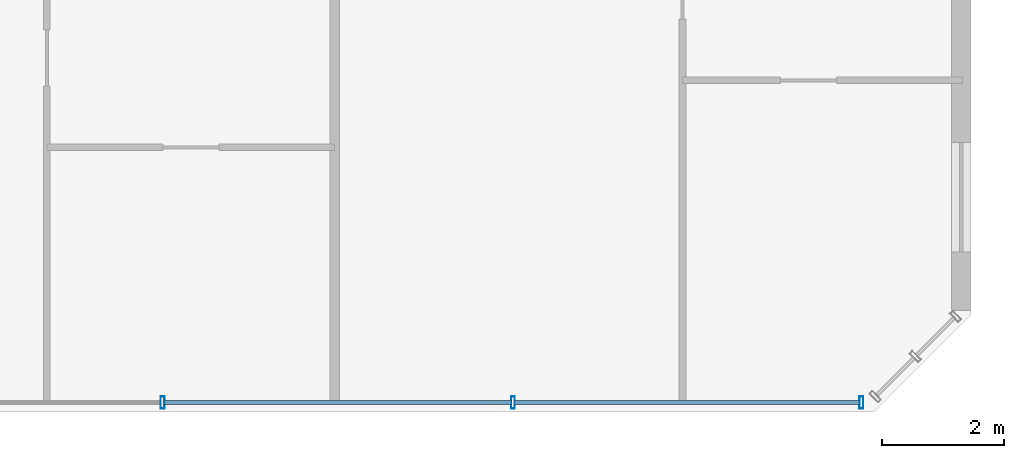
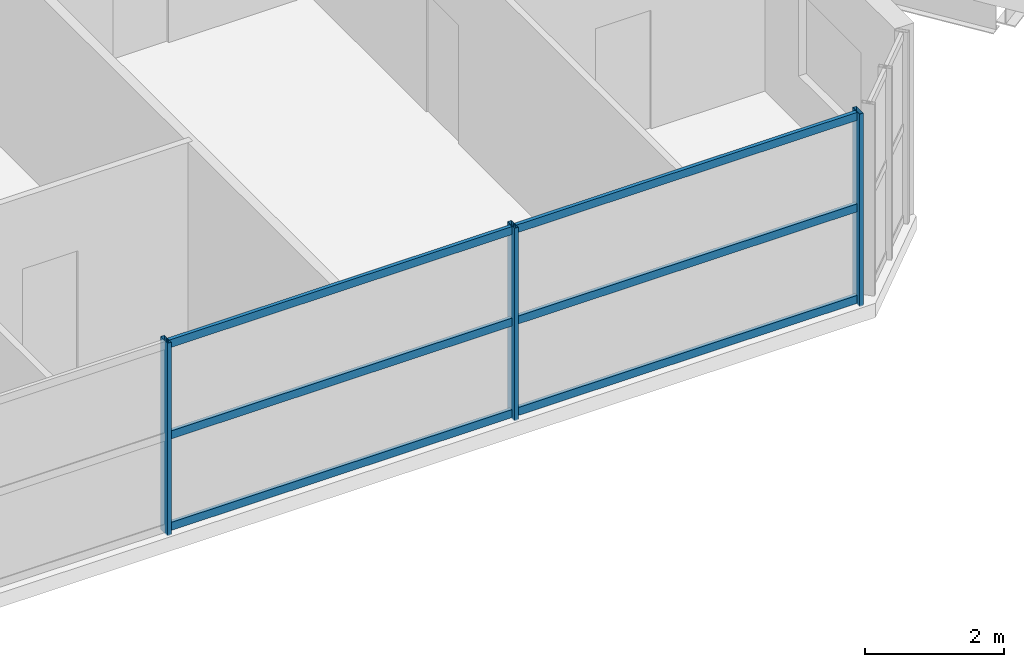
# One storey, part 8 of 25: 9 members, 1 element without a shape of its own.
"""IFC4 building model written with IfcOpenShell, lengths in metres."""

from ifc_helpers import new_model, si_unit, direction, frame, origin, origin_2d, place, context, subcontext, project, spatial, hollow_rectangle, extrude, source, transform, mapped, material, material_profile, profile_set, type_object, element, aggregate, save


model = new_model("IFC4")

# Units and contexts
model_context = context("Model", 3, precision=1e-05, world=origin(), true_north=direction((0.0, 1.0)))
body_context = subcontext(model_context, "Body", "Model", "MODEL_VIEW")
ifc_project = project(units=[si_unit("LENGTHUNIT", "METRE"), si_unit("AREAUNIT", "SQUARE_METRE"), si_unit("VOLUMEUNIT", "CUBIC_METRE"), si_unit("PLANEANGLEUNIT", "RADIAN"), si_unit("MASSUNIT", "GRAM", prefix="KILO")], contexts=[model_context])

# Site, building, storey
site_placement = place(None, origin())
site = spatial("IfcSite", under=ifc_project, at=site_placement, CompositionType="ELEMENT")
building_placement = place(site_placement, origin())
building = spatial("IfcBuilding", under=site, at=building_placement, Name="Tlacorven Tower", CompositionType="ELEMENT")
storey_placement = place(building_placement, frame((0.0, 0.0, 162.300048828125)))
storey = spatial("IfcBuildingStorey", under=building, at=storey_placement, Name="L41", CompositionType="ELEMENT", Elevation=162.300048828125)

# Curtain wall, members
ifc_material_1 = material(Name="Dark solar low-E double glazing in aluminium frame", Category="aluminium")
curtain_wall_type = type_object("IfcCurtainWallType", Name="CW-TWR-MID", PredefinedType="USERDEFINED", material=ifc_material_1)
curtain_wall_placement = place(storey_placement, origin())
curtain_wall = element("IfcCurtainWall", 1, at=curtain_wall_placement, inside=storey, type_object=curtain_wall_type, Name="L41 CW-TWR-MID Curtain Wall 185", ObjectType="UNITISED CURTAIN WALL", PredefinedType="USERDEFINED")
ifc_material_2 = material(Name="Aluminium 6063-T6 anodised", Category="aluminium")
ifc_material_profile_1 = material_profile(ifc_material_2, hollow_rectangle(XDim=0.06494140625, YDim=0.199951171875, WallThickness=0.00439453125, at=origin_2d()), Name="ALU MULLION 65X200")
ifc_profile_set_1 = profile_set([ifc_material_profile_1], Name="Aluminium 6063-T6 anodised")
member_type_1 = type_object("IfcMemberType", Name="CWM-02", PredefinedType="MULLION", material=ifc_profile_set_1)
shared_shape_1 = source(origin(), body_context, "Body", "SweptSolid", [
    extrude(hollow_rectangle(XDim=0.06494140625, YDim=0.199951171875, WallThickness=0.00439453125, at=origin_2d()), origin(), (0.0, 0.0, 1.0), 3.3798828125),
])
member_1_placement = place(storey_placement, frame((50.601318359375, 1.9599609375, -0.02001953125), z_axis=(0.0, 0.0, 1.0), x_axis=(-1.0, 0.0, 0.0)))
member_1 = element("IfcMember", 2, at=member_1_placement, type_object=member_type_1, Name="CW-L41-185 Mullion 1", PredefinedType="MULLION", context=body_context, shape_type="MappedRepresentation", body=[
    mapped(shared_shape_1, transform((0.0, 0.0, 0.0), scale=1.0)),
])
member_2_placement = place(storey_placement, frame((44.8779296875, 1.9599609375, -0.02001953125), z_axis=(0.0, 0.0, 1.0), x_axis=(-1.0, 0.0, 0.0)))
member_2 = element("IfcMember", 3, at=member_2_placement, type_object=member_type_1, Name="CW-L41-185 Mullion 2", PredefinedType="MULLION", context=body_context, shape_type="MappedRepresentation", body=[
    mapped(shared_shape_1, transform((0.0, 0.0, 0.0), scale=1.0)),
])
member_3_placement = place(storey_placement, frame((39.1220703125, 1.9599609375, -0.02001953125), z_axis=(0.0, 0.0, 1.0), x_axis=(-1.0, 0.0, 0.0)))
member_3 = element("IfcMember", 4, at=member_3_placement, type_object=member_type_1, Name="CW-L41-185 Mullion 3", PredefinedType="MULLION", context=body_context, shape_type="MappedRepresentation", body=[
    mapped(shared_shape_1, transform((0.0, 0.0, 0.0), scale=1.0)),
])
ifc_material_profile_2 = material_profile(ifc_material_2, hollow_rectangle(XDim=0.06005859375, YDim=0.139892578125, WallThickness=0.00390625, at=origin_2d()), Name="ALU TRANSOM 60X140")
ifc_profile_set_2 = profile_set([ifc_material_profile_2], Name="Aluminium 6063-T6 anodised")
member_type_2 = type_object("IfcMemberType", Name="CWT-02", PredefinedType="USERDEFINED", material=ifc_profile_set_2)
shared_shape_2 = source(origin(), body_context, "Body", "SweptSolid", [
    extrude(hollow_rectangle(XDim=0.06005859375, YDim=0.139892578125, WallThickness=0.00390625, at=origin_2d()), origin(), (0.0, 0.0, 1.0), 5.682373046875),
])
member_4_placement = place(storey_placement, frame((50.580810546875, 1.9599609375, 0.070068359375), z_axis=(-1.0, 0.0, 0.0), x_axis=(0.0, -1.0, 0.0)))
member_4 = element("IfcMember", 5, at=member_4_placement, type_object=member_type_2, Name="CW-L41-185 Transom 1", ObjectType="TRANSOM", PredefinedType="USERDEFINED", context=body_context, shape_type="MappedRepresentation", body=[
    mapped(shared_shape_2, transform((0.0, 0.0, 0.0), scale=1.0)),
])
member_5_placement = place(storey_placement, frame((50.580810546875, 1.9599609375, 1.675048828125), z_axis=(-1.0, 0.0, 0.0), x_axis=(0.0, -1.0, 0.0)))
member_5 = element("IfcMember", 6, at=member_5_placement, type_object=member_type_2, Name="CW-L41-185 Transom 2", ObjectType="TRANSOM", PredefinedType="USERDEFINED", context=body_context, shape_type="MappedRepresentation", body=[
    mapped(shared_shape_2, transform((0.0, 0.0, 0.0), scale=1.0)),
])
member_6_placement = place(storey_placement, frame((50.580810546875, 1.9599609375, 3.280029296875), z_axis=(-1.0, 0.0, 0.0), x_axis=(0.0, -1.0, 0.0)))
member_6 = element("IfcMember", 7, at=member_6_placement, type_object=member_type_2, Name="CW-L41-185 Transom 3", ObjectType="TRANSOM", PredefinedType="USERDEFINED", context=body_context, shape_type="MappedRepresentation", body=[
    mapped(shared_shape_2, transform((0.0, 0.0, 0.0), scale=1.0)),
])
shared_shape_3 = source(origin(), body_context, "Body", "SweptSolid", [
    extrude(hollow_rectangle(XDim=0.06005859375, YDim=0.139892578125, WallThickness=0.00390625, at=origin_2d()), origin(), (0.0, 0.0, 1.0), 5.71484375),
])
member_7_placement = place(storey_placement, frame((44.857421875, 1.9599609375, 0.070068359375), z_axis=(-1.0, 0.0, 0.0), x_axis=(0.0, -1.0, 0.0)))
member_7 = element("IfcMember", 8, at=member_7_placement, type_object=member_type_2, Name="CW-L41-185 Transom 4", ObjectType="TRANSOM", PredefinedType="USERDEFINED", context=body_context, shape_type="MappedRepresentation", body=[
    mapped(shared_shape_3, transform((0.0, 0.0, 0.0), scale=1.0)),
])
member_8_placement = place(storey_placement, frame((44.857421875, 1.9599609375, 1.675048828125), z_axis=(-1.0, 0.0, 0.0), x_axis=(0.0, -1.0, 0.0)))
member_8 = element("IfcMember", 9, at=member_8_placement, type_object=member_type_2, Name="CW-L41-185 Transom 5", ObjectType="TRANSOM", PredefinedType="USERDEFINED", context=body_context, shape_type="MappedRepresentation", body=[
    mapped(shared_shape_3, transform((0.0, 0.0, 0.0), scale=1.0)),
])
member_9_placement = place(storey_placement, frame((44.857421875, 1.9599609375, 3.280029296875), z_axis=(-1.0, 0.0, 0.0), x_axis=(0.0, -1.0, 0.0)))
member_9 = element("IfcMember", 10, at=member_9_placement, type_object=member_type_2, Name="CW-L41-185 Transom 6", ObjectType="TRANSOM", PredefinedType="USERDEFINED", context=body_context, shape_type="MappedRepresentation", body=[
    mapped(shared_shape_3, transform((0.0, 0.0, 0.0), scale=1.0)),
])
aggregate(curtain_wall, [member_1, member_2, member_3, member_4, member_5, member_6, member_7, member_8, member_9])

save(model, "model.ifc")
